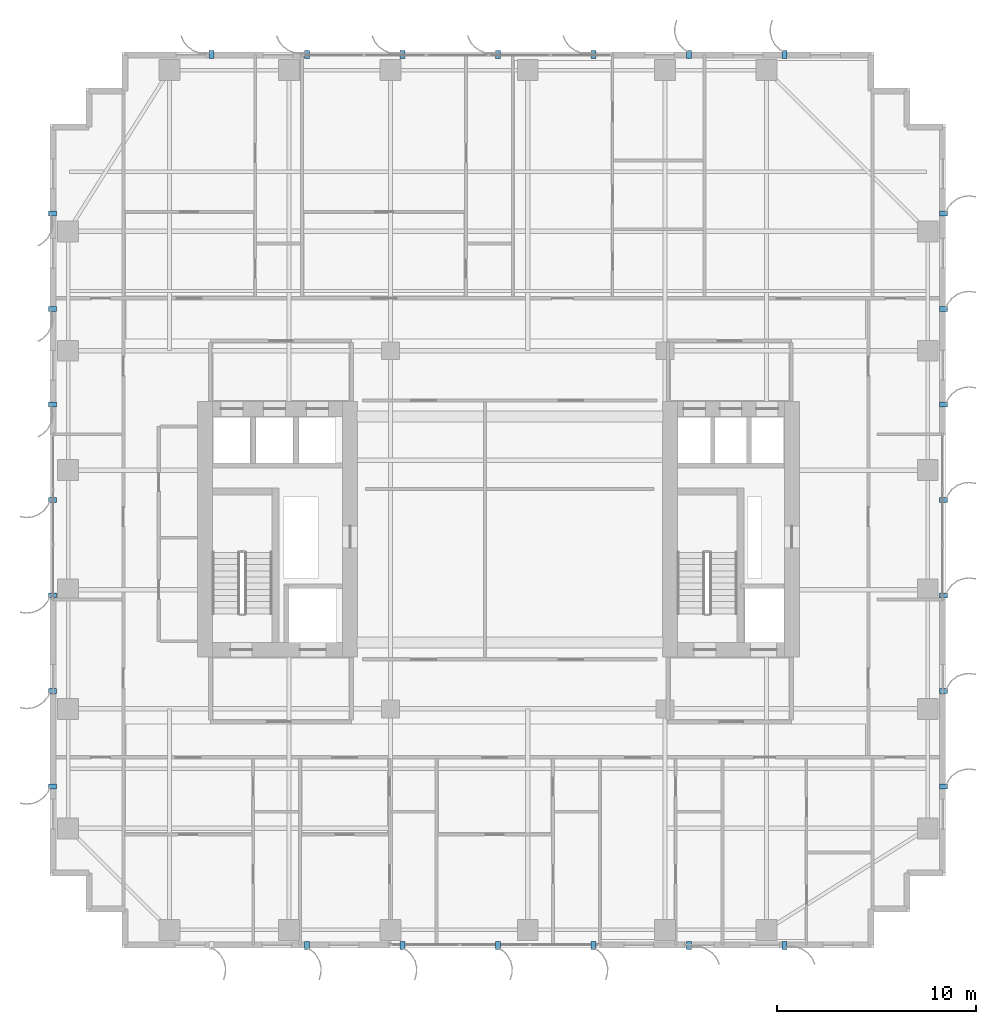
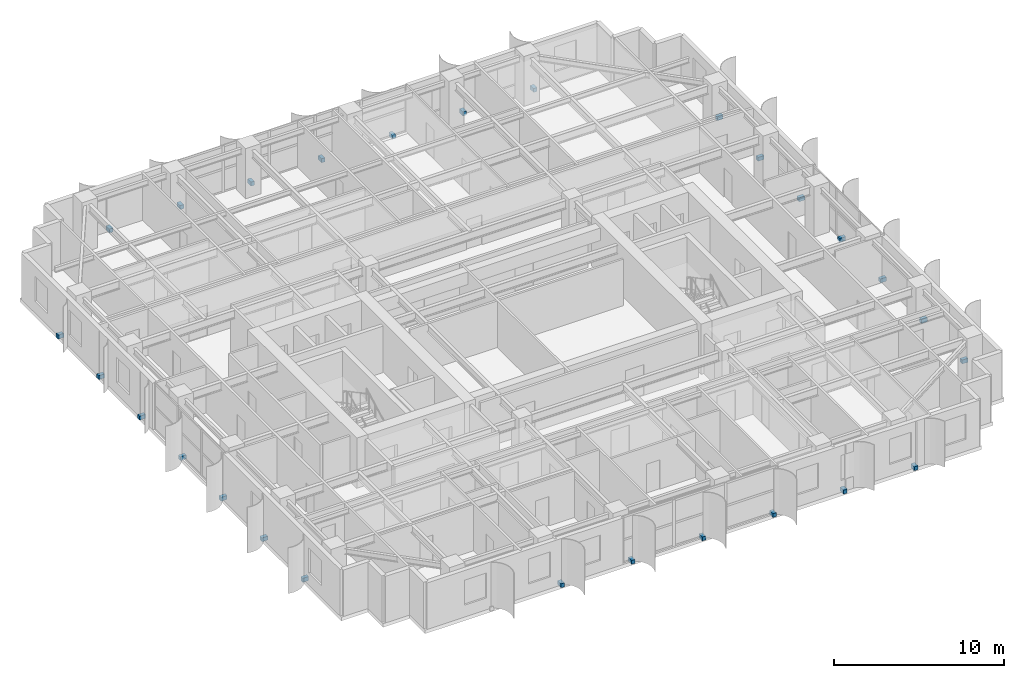
# One storey, part 18 of 22: 27 discrete accessories.
"""IFC4 building model written with IfcOpenShell, lengths in metres."""

from ifc_helpers import new_model, si_unit, direction, frame, origin, origin_2d, place, context, subcontext, project, spatial, rectangle, extrude, source, transform, mapped, material, type_object, element, save


model = new_model("IFC4")

# Units and contexts
model_context = context("Model", 3, precision=1e-05, world=origin(), true_north=direction((0.0, 1.0)))
body_context = subcontext(model_context, "Body", "Model", "MODEL_VIEW")
ifc_project = project(units=[si_unit("LENGTHUNIT", "METRE"), si_unit("AREAUNIT", "SQUARE_METRE"), si_unit("VOLUMEUNIT", "CUBIC_METRE"), si_unit("PLANEANGLEUNIT", "RADIAN"), si_unit("MASSUNIT", "GRAM", prefix="KILO")], contexts=[model_context])

# Site, building, storey
site_placement = place(None, origin())
site = spatial("IfcSite", under=ifc_project, at=site_placement, CompositionType="ELEMENT")
building_placement = place(site_placement, origin())
building = spatial("IfcBuilding", under=site, at=building_placement, Name="Khoralis Quay Care Tower", CompositionType="ELEMENT")
storey_placement = place(building_placement, frame((0.0, 0.0, 101.699951171875)))
storey = spatial("IfcBuildingStorey", under=building, at=storey_placement, Name="L26", CompositionType="ELEMENT", Elevation=101.699951171875)

# Discrete accessories
ifc_material = material(Name="Brushed stainless steel", Category="steel")
discrete_accessory_type = type_object("IfcDiscreteAccessoryType", Name="ACC-FIN-BRACKET", PredefinedType="BRACKET", material=ifc_material)
shared_shape = source(origin(), body_context, "Body", "SweptSolid", [
    extrude(rectangle(XDim=0.39990234375, YDim=0.239990234375, at=origin_2d()), origin(), (0.0, 0.0, 1.0), 0.280029296875),
])
for number, where, z_axis, x_axis, name in (
    (1, (12.89990234375, 0.110107421875, -0.1201171875), (0.0, 0.0, 1.0), (0.0, -1.0, 0.0), "L26 Solar Fin Bracket P1E0-02"),
    (2, (17.699951171875, 0.110107421875, -0.1201171875), (0.0, 0.0, 1.0), (0.0, -1.0, 0.0), "L26 Solar Fin Bracket P1E0-03"),
    (3, (22.5, 0.110107421875, -0.1201171875), (0.0, 0.0, 1.0), (0.0, -1.0, 0.0), "L26 Solar Fin Bracket P1E0-04"),
    (4, (27.300048828125, 0.110107421875, -0.1201171875), (0.0, 0.0, 1.0), (0.0, -1.0, 0.0), "L26 Solar Fin Bracket P1E0-05"),
    (5, (32.10009765625, 0.110107421875, -0.1201171875), (0.0, 0.0, 1.0), (0.0, -1.0, 0.0), "L26 Solar Fin Bracket P1E0-06"),
    (6, (36.89990234375, 0.110107421875, -0.1201171875), (0.0, 0.0, 1.0), (0.0, -1.0, 0.0), "L26 Solar Fin Bracket P1E0-07"),
    (7, (44.889892578125, 8.10009765625, -0.1201171875), (0.0, 0.0, 1.0), (1.0, 0.0, 0.0), "L26 Solar Fin Bracket P1E5-01"),
    (8, (44.889892578125, 12.89990234375, -0.1201171875), (0.0, 0.0, 1.0), (1.0, 0.0, 0.0), "L26 Solar Fin Bracket P1E5-02"),
    (9, (44.889892578125, 17.699951171875, -0.1201171875), (0.0, 0.0, 1.0), (1.0, 0.0, 0.0), "L26 Solar Fin Bracket P1E5-03"),
    (10, (44.889892578125, 22.5, -0.1201171875), (0.0, 0.0, 1.0), (1.0, 0.0, 0.0), "L26 Solar Fin Bracket P1E5-04"),
    (11, (44.889892578125, 27.300048828125, -0.1201171875), (0.0, 0.0, 1.0), (1.0, 0.0, 0.0), "L26 Solar Fin Bracket P1E5-05"),
    (12, (44.889892578125, 32.10009765625, -0.1201171875), (0.0, 0.0, 1.0), (1.0, 0.0, 0.0), "L26 Solar Fin Bracket P1E5-06"),
    (13, (44.889892578125, 36.89990234375, -0.1201171875), (0.0, 0.0, 1.0), (1.0, 0.0, 0.0), "L26 Solar Fin Bracket P1E5-07"),
    (14, (36.89990234375, 44.889892578125, -0.1201171875), (0.0, 0.0, 1.0), (0.0, 1.0, 0.0), "L26 Solar Fin Bracket P1E10-01"),
    (15, (32.10009765625, 44.889892578125, -0.1201171875), (0.0, 0.0, 1.0), (0.0, 1.0, 0.0), "L26 Solar Fin Bracket P1E10-02"),
    (16, (27.300048828125, 44.889892578125, -0.1201171875), (0.0, 0.0, 1.0), (0.0, 1.0, 0.0), "L26 Solar Fin Bracket P1E10-03"),
    (17, (22.5, 44.889892578125, -0.1201171875), (0.0, 0.0, 1.0), (0.0, 1.0, 0.0), "L26 Solar Fin Bracket P1E10-04"),
    (18, (17.699951171875, 44.889892578125, -0.1201171875), (0.0, 0.0, 1.0), (0.0, 1.0, 0.0), "L26 Solar Fin Bracket P1E10-05"),
    (19, (12.89990234375, 44.889892578125, -0.1201171875), (0.0, 0.0, 1.0), (0.0, 1.0, 0.0), "L26 Solar Fin Bracket P1E10-06"),
    (20, (8.10009765625, 44.889892578125, -0.1201171875), (0.0, 0.0, 1.0), (0.0, 1.0, 0.0), "L26 Solar Fin Bracket P1E10-07"),
    (21, (0.110107421875, 36.89990234375, -0.1201171875), (0.0, 0.0, 1.0), (-1.0, 0.0, 0.0), "L26 Solar Fin Bracket P1E15-01"),
    (22, (0.110107421875, 32.10009765625, -0.1201171875), (0.0, 0.0, 1.0), (-1.0, 0.0, 0.0), "L26 Solar Fin Bracket P1E15-02"),
    (23, (0.110107421875, 27.300048828125, -0.1201171875), (0.0, 0.0, 1.0), (-1.0, 0.0, 0.0), "L26 Solar Fin Bracket P1E15-03"),
    (24, (0.110107421875, 22.5, -0.1201171875), (0.0, 0.0, 1.0), (-1.0, 0.0, 0.0), "L26 Solar Fin Bracket P1E15-04"),
    (25, (0.110107421875, 17.699951171875, -0.1201171875), (0.0, 0.0, 1.0), (-1.0, 0.0, 0.0), "L26 Solar Fin Bracket P1E15-05"),
    (26, (0.110107421875, 12.89990234375, -0.1201171875), (0.0, 0.0, 1.0), (-1.0, 0.0, 0.0), "L26 Solar Fin Bracket P1E15-06"),
    (27, (0.110107421875, 8.10009765625, -0.1201171875), (0.0, 0.0, 1.0), (-1.0, 0.0, 0.0), "L26 Solar Fin Bracket P1E15-07"),
):
    element("IfcDiscreteAccessory", number, at=place(storey_placement, frame(where, z_axis=z_axis, x_axis=x_axis)), inside=storey, type_object=discrete_accessory_type, Name=name, PredefinedType="BRACKET", context=body_context, shape_type="MappedRepresentation", body=[
        mapped(shared_shape, transform((0.0, 0.0, 0.0), scale=1.0)),
    ])

save(model, "model.ifc")
